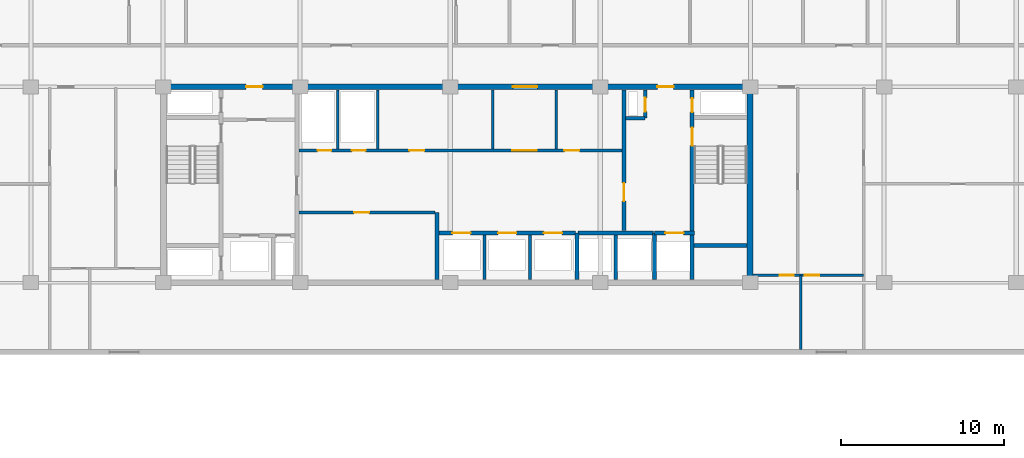
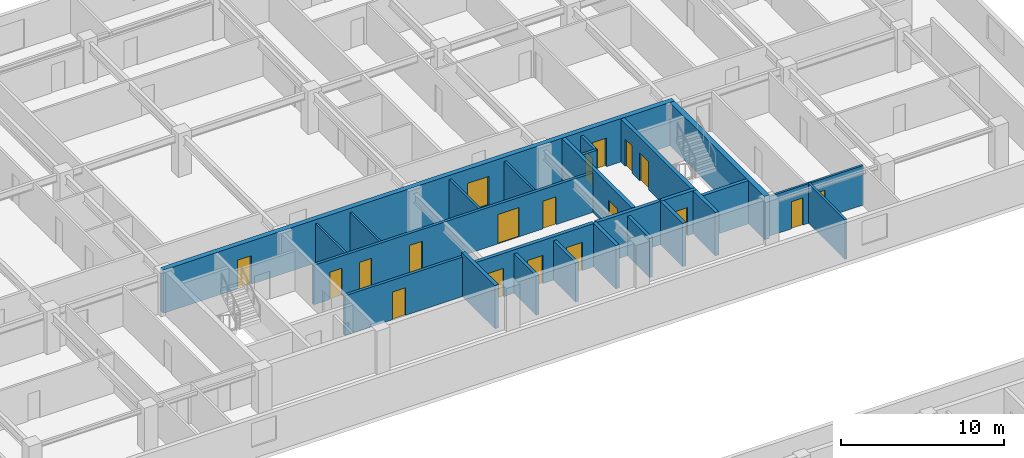
# One storey, part 11 of 21: 24 walls, 19 doors, 19 openings.
"""IFC4 building model written with IfcOpenShell, lengths in metres."""

from ifc_helpers import new_model, si_unit, direction, frame, frame_2d, origin, place, context, subcontext, project, spatial, rectangle, extrude, material, layer, layer_set, type_object, element, fill, save


model = new_model("IFC4")

# Units and contexts
model_context = context("Model", 3, precision=1e-05, world=origin(), true_north=direction((0.0, 1.0)))
body_context = subcontext(model_context, "Body", "Model", "MODEL_VIEW")
ifc_project = project(units=[si_unit("LENGTHUNIT", "METRE"), si_unit("AREAUNIT", "SQUARE_METRE"), si_unit("VOLUMEUNIT", "CUBIC_METRE"), si_unit("PLANEANGLEUNIT", "RADIAN"), si_unit("MASSUNIT", "GRAM", prefix="KILO")], contexts=[model_context])

# Site, building, storey
site_placement = place(None, origin())
site = spatial("IfcSite", under=ifc_project, at=site_placement, CompositionType="ELEMENT")
building_placement = place(site_placement, origin())
building = spatial("IfcBuilding", under=site, at=building_placement, Name="Korimba Cascade Residences", CompositionType="ELEMENT")
storey_placement = place(building_placement, frame((0.0, 0.0, 116.550048828125)))
storey = spatial("IfcBuildingStorey", under=building, at=storey_placement, Name="L33", CompositionType="ELEMENT", Elevation=116.550048828125)

# Wall
ifc_material_1 = material(Name="Concrete C65/80", Category="concrete")
ifc_layer_1 = layer(ifc_material_1, 0.35009765625)
ifc_layer_set_1 = layer_set([ifc_layer_1], Name="Concrete C65/80")
wall_type_1 = type_object("IfcWallType", Name="WAL-CORE-350", PredefinedType="SHEAR", material=ifc_layer_set_1)
wall_1_placement = place(storey_placement, frame((112.074951171875, 55.375, 0.0), z_axis=(0.0, 0.0, 1.0), x_axis=(0.0, 1.0, 0.0)))
element("IfcWall", 1, at=wall_1_placement, inside=storey, type_object=wall_type_1, Name="L33 Core Shear Wall CW-L33-T1-E", PredefinedType="SHEAR", context=body_context, shape_type="SweptSolid", body=[
    extrude(rectangle(XDim=11.64990234375, YDim=0.35009765625, at=frame_2d((5.824951171875, 0.0))), origin(), (0.0, 0.0, 1.0), 3.25),
])

# Wall, openings, doors
wall_2_placement = place(storey_placement, frame((75.949951171875, 67.199951171875, 0.0), z_axis=(0.0, 0.0, 1.0), x_axis=(1.0, 0.0, 0.0)))
wall_2 = element("IfcWall", 2, at=wall_2_placement, inside=storey, type_object=wall_type_1, Name="L33 Core Shear Wall CW-L33-T1-N", PredefinedType="SHEAR", context=body_context, shape_type="SweptSolid", body=[
    extrude(rectangle(XDim=36.300048828125, YDim=0.35009765625, at=frame_2d((18.14990234375, 0.0))), origin(), (0.0, 0.0, 1.0), 3.25),
])
opening_1_placement = place(wall_2_placement, frame((5.25, 0.0, 0.0)))
opening_1 = element("IfcOpeningElement", 3, at=opening_1_placement, cuts=wall_2, Name="Opening D-FD5", PredefinedType="OPENING", context=body_context, shape_type="SweptSolid", body=[
    extrude(rectangle(XDim=1.0, YDim=2.14990234375, at=frame_2d((0.5, 1.074951171875))), frame((0.0, 0.18505859375, 0.0), z_axis=(0.0, -1.0, 0.0), x_axis=(1.0, 0.0, 0.0)), (0.0, 0.0, 1.0), 0.3701171875),
])
opening_2_placement = place(wall_2_placement, frame((21.60009765625, 0.0, 0.0)))
opening_2 = element("IfcOpeningElement", 4, at=opening_2_placement, cuts=wall_2, Name="Opening D-FD8", PredefinedType="OPENING", context=body_context, shape_type="SweptSolid", body=[
    extrude(rectangle(XDim=1.5, YDim=2.199951171875, at=frame_2d((0.75, 1.10009765625))), frame((0.0, 0.18505859375, 0.0), z_axis=(0.0, -1.0, 0.0), x_axis=(1.0, 0.0, 0.0)), (0.0, 0.0, 1.0), 0.3701171875),
])
opening_3_placement = place(wall_2_placement, frame((30.449951171875, 0.0, 0.0)))
opening_3 = element("IfcOpeningElement", 5, at=opening_3_placement, cuts=wall_2, Name="Opening D-FD5", PredefinedType="OPENING", context=body_context, shape_type="SweptSolid", body=[
    extrude(rectangle(XDim=1.0, YDim=2.14990234375, at=frame_2d((0.5, 1.074951171875))), frame((0.0, 0.18505859375, 0.0), z_axis=(0.0, -1.0, 0.0), x_axis=(1.0, 0.0, 0.0)), (0.0, 0.0, 1.0), 0.3701171875),
])
ifc_material_2 = material(Name="Fire-Rated Acoustic Timber Vestibule Door", Category="wood")
door_type_1 = type_object("IfcDoorType", Name="DR-FD90-1000", OperationType="NOTDEFINED", PredefinedType="DOOR", material=ifc_material_2)
door_1_placement = place(opening_1_placement, origin())
door_1 = element("IfcDoor", 6, at=door_1_placement, inside=storey, type_object=door_type_1, Name="L33 T1 West Core Vestibule Fire Door", OperationType="SINGLE_SWING_LEFT", OverallHeight=2.14990234375, OverallWidth=1.0, PredefinedType="DOOR", context=body_context, shape_type="SweptSolid", body=[
    extrude(rectangle(XDim=1.0, YDim=2.14990234375, at=frame_2d((0.5, 1.074951171875))), frame((0.0, 0.02490234375, 0.0), z_axis=(0.0, -1.0, 0.0), x_axis=(1.0, 0.0, 0.0)), (0.0, 0.0, 1.0), 0.050048828125),
])
fill(opening_1, door_1)
door_2_placement = place(opening_3_placement, origin())
door_2 = element("IfcDoor", 7, at=door_2_placement, inside=storey, type_object=door_type_1, Name="L33 T1 East Firefighting Vestibule Fire Door", OperationType="SINGLE_SWING_RIGHT", OverallHeight=2.14990234375, OverallWidth=1.0, PredefinedType="DOOR", context=body_context, shape_type="SweptSolid", body=[
    extrude(rectangle(XDim=1.0, YDim=2.14990234375, at=frame_2d((0.5, 1.074951171875))), frame((0.0, 0.02490234375, 0.0), z_axis=(0.0, -1.0, 0.0), x_axis=(1.0, 0.0, 0.0)), (0.0, 0.0, 1.0), 0.050048828125),
])
fill(opening_3, door_2)
ifc_material_3 = material(Name="Fire-Rated Glazed Lift Lobby Double Door", Category="glass")
door_type_2 = type_object("IfcDoorType", Name="DR-FD90-1500", OperationType="NOTDEFINED", PredefinedType="DOOR", material=ifc_material_3)
door_3_placement = place(opening_2_placement, origin())
door_3 = element("IfcDoor", 8, at=door_3_placement, inside=storey, type_object=door_type_2, Name="L33 T1 Lift Lobby Fire Door", OperationType="DOUBLE_DOOR_SINGLE_SWING", OverallHeight=2.199951171875, OverallWidth=1.5, PredefinedType="DOOR", context=body_context, shape_type="SweptSolid", body=[
    extrude(rectangle(XDim=1.5, YDim=2.199951171875, at=frame_2d((0.75, 1.10009765625))), frame((0.0, 0.02490234375, 0.0), z_axis=(0.0, -1.0, 0.0), x_axis=(1.0, 0.0, 0.0)), (0.0, 0.0, 1.0), 0.050048828125),
])
fill(opening_2, door_3)

# Walls
ifc_material_4 = material(Name="Insulated Acoustic Stud Partition", Category="gypsum")
ifc_layer_2 = layer(ifc_material_4, 0.14990234375)
ifc_layer_set_2 = layer_set([ifc_layer_2], Name="Insulated Acoustic Stud Partition")
wall_type_2 = type_object("IfcWallType", Name="WAL-PART-150", PredefinedType="PARTITIONING", material=ifc_layer_set_2)
for number, where, z_axis, x_axis, name in (
    (9, (86.800048828125, 63.39990234375, 0.0), (0.0, 0.0, 1.0), (0.0, 1.0, 0.0), "L33 Partition Wall CW-L33-T1-ERDIV"),
    (10, (89.25, 63.39990234375, 0.0), (0.0, 0.0, 1.0), (0.0, 1.0, 0.0), "L33 Partition Wall CW-L33-T1-PRDIV"),
    (11, (96.300048828125, 63.39990234375, 0.0), (0.0, 0.0, 1.0), (0.0, 1.0, 0.0), "L33 Partition Wall CW-L33-T1-THW"),
    (12, (100.199951171875, 63.39990234375, 0.0), (0.0, 0.0, 1.0), (0.0, 1.0, 0.0), "L33 Partition Wall CW-L33-T1-THE"),
):
    element("IfcWall", number, at=place(storey_placement, frame(where, z_axis=z_axis, x_axis=x_axis)), inside=storey, type_object=wall_type_2, Name=name, PredefinedType="PARTITIONING", context=body_context, shape_type="SweptSolid", body=[
        extrude(rectangle(XDim=3.60009765625, YDim=0.14990234375, at=frame_2d((1.800048828125, 0.0))), origin(), (0.0, 0.0, 1.0), 2.969970703125),
    ])
wall_3_placement = place(storey_placement, frame((115.199951171875, 51.10009765625, 0.0), z_axis=(0.0, 0.0, 1.0), x_axis=(0.0, 1.0, 0.0)))
element("IfcWall", 13, at=wall_3_placement, inside=storey, type_object=wall_type_2, Name="L33 Partition Wall WAL-L33-T1-FE-VS", PredefinedType="PARTITIONING", context=body_context, shape_type="SweptSolid", body=[
    extrude(rectangle(XDim=4.5498046875, YDim=0.14990234375, at=frame_2d((2.27490234375, 0.0))), origin(), (0.0, 0.0, 1.0), 2.969970703125),
])

# Wall, openings, doors
wall_4_placement = place(storey_placement, frame((112.27001953125, 55.64990234375, 0.0), z_axis=(0.0, 0.0, 1.0), x_axis=(1.0, 0.0, 0.0)))
wall_4 = element("IfcWall", 14, at=wall_4_placement, inside=storey, type_object=wall_type_2, Name="L33 Partition Wall WAL-L33-T1-FE-H", PredefinedType="PARTITIONING", context=body_context, shape_type="SweptSolid", body=[
    extrude(rectangle(XDim=6.760009765625, YDim=0.14990234375, at=frame_2d((3.3798828125, 0.0))), origin(), (0.0, 0.0, 1.0), 2.969970703125),
])
opening_4_placement = place(wall_4_placement, frame((1.6396484375, 0.0, 0.0)))
opening_4 = element("IfcOpeningElement", 15, at=opening_4_placement, cuts=wall_4, Name="Opening D-BT1", PredefinedType="OPENING", context=body_context, shape_type="SweptSolid", body=[
    extrude(rectangle(XDim=0.840087890625, YDim=2.0400390625, at=frame_2d((0.419921875, 1.02001953125))), frame((0.0, 0.0849609375, 0.0), z_axis=(0.0, -1.0, 0.0), x_axis=(1.0, 0.0, 0.0)), (0.0, 0.0, 1.0), 0.169921875),
])
opening_5_placement = place(wall_4_placement, frame((3.160400390625, 0.0, 0.0)))
opening_5 = element("IfcOpeningElement", 16, at=opening_5_placement, cuts=wall_4, Name="Opening D-IN2", PredefinedType="OPENING", context=body_context, shape_type="SweptSolid", body=[
    extrude(rectangle(XDim=0.8798828125, YDim=2.06005859375, at=frame_2d((0.43994140625, 1.030029296875))), frame((0.0, 0.0849609375, 0.0), z_axis=(0.0, -1.0, 0.0), x_axis=(1.0, 0.0, 0.0)), (0.0, 0.0, 1.0), 0.169921875),
])
ifc_material_5 = material(Name="Moisture-Resistant Bathroom Timber Door", Category="wood")
door_type_3 = type_object("IfcDoorType", Name="DR-INT-850", OperationType="NOTDEFINED", PredefinedType="DOOR", material=ifc_material_5)
door_4_placement = place(opening_4_placement, origin())
door_4 = element("IfcDoor", 17, at=door_4_placement, inside=storey, type_object=door_type_3, Name="L33-T1-FE Bathroom Door", OperationType="SINGLE_SWING_LEFT", OverallHeight=2.0400390625, OverallWidth=0.840087890625, PredefinedType="DOOR", context=body_context, shape_type="SweptSolid", body=[
    extrude(rectangle(XDim=0.840087890625, YDim=2.0400390625, at=frame_2d((0.419921875, 1.02001953125))), frame((0.0, 0.02490234375, 0.0), z_axis=(0.0, -1.0, 0.0), x_axis=(1.0, 0.0, 0.0)), (0.0, 0.0, 1.0), 0.050048828125),
])
fill(opening_4, door_4)
ifc_material_6 = material(Name="Acoustic Timber Bedroom Door", Category="wood")
door_type_4 = type_object("IfcDoorType", Name="DR-INT-880", OperationType="NOTDEFINED", PredefinedType="DOOR", material=ifc_material_6)
door_5_placement = place(opening_5_placement, origin())
door_5 = element("IfcDoor", 18, at=door_5_placement, inside=storey, type_object=door_type_4, Name="L33-T1-FE Bedroom Door", OperationType="SINGLE_SWING_RIGHT", OverallHeight=2.06005859375, OverallWidth=0.8798828125, PredefinedType="DOOR", context=body_context, shape_type="SweptSolid", body=[
    extrude(rectangle(XDim=0.8798828125, YDim=2.06005859375, at=frame_2d((0.43994140625, 1.030029296875))), frame((0.0, 0.02490234375, 0.0), z_axis=(0.0, -1.0, 0.0), x_axis=(1.0, 0.0, 0.0)), (0.0, 0.0, 1.0), 0.050048828125),
])
fill(opening_5, door_5)

# Wall, opening, door
ifc_material_7 = material(Name="Concrete C40/50", Category="concrete")
ifc_layer_3 = layer(ifc_material_7, 0.199951171875)
ifc_layer_set_3 = layer_set([ifc_layer_3], Name="Concrete C40/50")
wall_type_3 = type_object("IfcWallType", Name="WAL-PART-200", PredefinedType="PARTITIONING", material=ifc_layer_set_3)
wall_5_placement = place(storey_placement, frame((84.419921875, 59.5, 0.0), z_axis=(0.0, 0.0, 1.0), x_axis=(1.0, 0.0, 0.0)))
wall_5 = element("IfcWall", 19, at=wall_5_placement, inside=storey, type_object=wall_type_3, Name="L33 Partition Wall CW-L33-T1-B1RN", PredefinedType="PARTITIONING", context=body_context, shape_type="SweptSolid", body=[
    extrude(rectangle(XDim=8.360107421875, YDim=0.199951171875, at=frame_2d((4.18017578125, 0.0))), origin(), (0.0, 0.0, 1.0), 2.969970703125),
])
opening_6_placement = place(wall_5_placement, frame((3.39990234375, 0.0, 0.0)))
opening_6 = element("IfcOpeningElement", 20, at=opening_6_placement, cuts=wall_5, Name="Opening D-ST1", PredefinedType="OPENING", context=body_context, shape_type="SweptSolid", body=[
    extrude(rectangle(XDim=0.919921875, YDim=2.080078125, at=frame_2d((0.4599609375, 1.0400390625))), frame((0.0, 0.10986328125, 0.0), z_axis=(0.0, -1.0, 0.0), x_axis=(1.0, 0.0, 0.0)), (0.0, 0.0, 1.0), 0.219970703125),
])
ifc_material_8 = material(Name="Fire-Rated Core Store Door", Category="wood")
door_type_5 = type_object("IfcDoorType", Name="DR-FD60-920", OperationType="NOTDEFINED", PredefinedType="DOOR", material=ifc_material_8)
door_6_placement = place(opening_6_placement, origin())
door_6 = element("IfcDoor", 21, at=door_6_placement, inside=storey, type_object=door_type_5, Name="L33 Resident Storage Door", OperationType="SINGLE_SWING_LEFT", OverallHeight=2.080078125, OverallWidth=0.919921875, PredefinedType="DOOR", context=body_context, shape_type="SweptSolid", body=[
    extrude(rectangle(XDim=0.919921875, YDim=2.080078125, at=frame_2d((0.4599609375, 1.0400390625))), frame((0.0, 0.02490234375, 0.0), z_axis=(0.0, -1.0, 0.0), x_axis=(1.0, 0.0, 0.0)), (0.0, 0.0, 1.0), 0.050048828125),
])
fill(opening_6, door_6)

# Walls
for number, where, z_axis, x_axis, name in (
    (22, (95.800048828125, 55.39990234375, 0.0), (0.0, 0.0, 1.0), (0.0, 1.0, 0.0), "L33 Partition Wall CW-L33-T1-B2D1"),
    (23, (98.60009765625, 55.39990234375, 0.0), (0.0, 0.0, 1.0), (0.0, 1.0, 0.0), "L33 Partition Wall CW-L33-T1-B2D2"),
    (24, (103.85009765625, 55.39990234375, 0.0), (0.0, 0.0, 1.0), (0.0, 1.0, 0.0), "L33 Partition Wall CW-L33-T1-B3D1"),
):
    element("IfcWall", number, at=place(storey_placement, frame(where, z_axis=z_axis, x_axis=x_axis)), inside=storey, type_object=wall_type_3, Name=name, PredefinedType="PARTITIONING", context=body_context, shape_type="SweptSolid", body=[
        extrude(rectangle(XDim=2.72021484375, YDim=0.199951171875, at=frame_2d((1.360107421875, 0.0))), origin(), (0.0, 0.0, 1.0), 2.969970703125),
    ])

# Wall, openings, doors
wall_6_placement = place(storey_placement, frame((84.419921875, 63.300048828125, 0.0), z_axis=(0.0, 0.0, 1.0), x_axis=(1.0, 0.0, 0.0)))
wall_6 = element("IfcWall", 25, at=wall_6_placement, inside=storey, type_object=wall_type_3, Name="L33 Partition Wall CW-L33-T1-SRVROW", PredefinedType="PARTITIONING", context=body_context, shape_type="SweptSolid", body=[
    extrude(rectangle(XDim=19.830078125, YDim=0.199951171875, at=frame_2d((9.9150390625, 0.0))), origin(), (0.0, 0.0, 1.0), 2.969970703125),
])
opening_7_placement = place(wall_6_placement, frame((1.14990234375, 0.0, 0.0)))
opening_7 = element("IfcOpeningElement", 26, at=opening_7_placement, cuts=wall_6, Name="Opening D-RS1", PredefinedType="OPENING", context=body_context, shape_type="SweptSolid", body=[
    extrude(rectangle(XDim=0.85009765625, YDim=2.050048828125, at=frame_2d((0.425048828125, 1.02490234375))), frame((0.0, 0.10986328125, 0.0), z_axis=(0.0, -1.0, 0.0), x_axis=(1.0, 0.0, 0.0)), (0.0, 0.0, 1.0), 0.219970703125),
])
opening_8_placement = place(wall_6_placement, frame((3.25, 0.0, 0.0)))
opening_8 = element("IfcOpeningElement", 27, at=opening_8_placement, cuts=wall_6, Name="Opening D-RS1", PredefinedType="OPENING", context=body_context, shape_type="SweptSolid", body=[
    extrude(rectangle(XDim=0.85009765625, YDim=2.050048828125, at=frame_2d((0.425048828125, 1.02490234375))), frame((0.0, 0.10986328125, 0.0), z_axis=(0.0, -1.0, 0.0), x_axis=(1.0, 0.0, 0.0)), (0.0, 0.0, 1.0), 0.219970703125),
])
opening_9_placement = place(wall_6_placement, frame((13.080078125, 0.0, 0.0)))
opening_9 = element("IfcOpeningElement", 28, at=opening_9_placement, cuts=wall_6, Name="Opening D-FD8", PredefinedType="OPENING", context=body_context, shape_type="SweptSolid", body=[
    extrude(rectangle(XDim=1.5, YDim=2.199951171875, at=frame_2d((0.75, 1.10009765625))), frame((0.0, 0.10986328125, 0.0), z_axis=(0.0, -1.0, 0.0), x_axis=(1.0, 0.0, 0.0)), (0.0, 0.0, 1.0), 0.219970703125),
])
opening_10_placement = place(wall_6_placement, frame((6.780029296875, 0.0, 0.0)))
opening_10 = element("IfcOpeningElement", 29, at=opening_10_placement, cuts=wall_6, Name="Opening D-IN1", PredefinedType="OPENING", context=body_context, shape_type="SweptSolid", body=[
    extrude(rectangle(XDim=0.919921875, YDim=2.080078125, at=frame_2d((0.4599609375, 1.0400390625))), frame((0.0, 0.10986328125, 0.0), z_axis=(0.0, -1.0, 0.0), x_axis=(1.0, 0.0, 0.0)), (0.0, 0.0, 1.0), 0.219970703125),
])
opening_11_placement = place(wall_6_placement, frame((16.280029296875, 0.0, 0.0)))
opening_11 = element("IfcOpeningElement", 30, at=opening_11_placement, cuts=wall_6, Name="Opening D-IN1", PredefinedType="OPENING", context=body_context, shape_type="SweptSolid", body=[
    extrude(rectangle(XDim=0.919921875, YDim=2.080078125, at=frame_2d((0.4599609375, 1.0400390625))), frame((0.0, 0.10986328125, 0.0), z_axis=(0.0, -1.0, 0.0), x_axis=(1.0, 0.0, 0.0)), (0.0, 0.0, 1.0), 0.219970703125),
])
ifc_material_9 = material(Name="Fire-Rated Steel Riser Access Door", Category="steel")
door_type_6 = type_object("IfcDoorType", Name="DR-FD60-850", OperationType="NOTDEFINED", PredefinedType="DOOR", material=ifc_material_9)
door_7_placement = place(opening_7_placement, origin())
door_7 = element("IfcDoor", 31, at=door_7_placement, inside=storey, type_object=door_type_6, Name="L33 Electrical Riser Door", OperationType="SINGLE_SWING_RIGHT", OverallHeight=2.050048828125, OverallWidth=0.85009765625, PredefinedType="DOOR", context=body_context, shape_type="SweptSolid", body=[
    extrude(rectangle(XDim=0.85009765625, YDim=2.050048828125, at=frame_2d((0.425048828125, 1.02490234375))), frame((0.0, 0.02490234375, 0.0), z_axis=(0.0, -1.0, 0.0), x_axis=(1.0, 0.0, 0.0)), (0.0, 0.0, 1.0), 0.050048828125),
])
fill(opening_7, door_7)
door_8_placement = place(opening_8_placement, origin())
door_8 = element("IfcDoor", 32, at=door_8_placement, inside=storey, type_object=door_type_6, Name="L33 Plumbing Riser Door", OperationType="SINGLE_SWING_LEFT", OverallHeight=2.050048828125, OverallWidth=0.85009765625, PredefinedType="DOOR", context=body_context, shape_type="SweptSolid", body=[
    extrude(rectangle(XDim=0.85009765625, YDim=2.050048828125, at=frame_2d((0.425048828125, 1.02490234375))), frame((0.0, 0.02490234375, 0.0), z_axis=(0.0, -1.0, 0.0), x_axis=(1.0, 0.0, 0.0)), (0.0, 0.0, 1.0), 0.050048828125),
])
fill(opening_8, door_8)
door_9_placement = place(opening_9_placement, origin())
door_9 = element("IfcDoor", 33, at=door_9_placement, inside=storey, type_object=door_type_2, Name="L33 Lift Lobby Foyer Archway Door", OperationType="DOUBLE_DOOR_SINGLE_SWING", OverallHeight=2.199951171875, OverallWidth=1.5, PredefinedType="DOOR", context=body_context, shape_type="SweptSolid", body=[
    extrude(rectangle(XDim=1.5, YDim=2.199951171875, at=frame_2d((0.75, 1.10009765625))), frame((0.0, 0.02490234375, 0.0), z_axis=(0.0, -1.0, 0.0), x_axis=(1.0, 0.0, 0.0)), (0.0, 0.0, 1.0), 0.050048828125),
])
fill(opening_9, door_9)
ifc_material_10 = material(Name="Acoustic Timber Living Door", Category="wood")
door_type_7 = type_object("IfcDoorType", Name="DR-INT-920", OperationType="NOTDEFINED", PredefinedType="DOOR", material=ifc_material_10)
door_10_placement = place(opening_10_placement, origin())
door_10 = element("IfcDoor", 34, at=door_10_placement, inside=storey, type_object=door_type_7, Name="L33 Housekeeping Door", OperationType="SINGLE_SWING_RIGHT", OverallHeight=2.080078125, OverallWidth=0.919921875, PredefinedType="DOOR", context=body_context, shape_type="SweptSolid", body=[
    extrude(rectangle(XDim=0.919921875, YDim=2.080078125, at=frame_2d((0.4599609375, 1.0400390625))), frame((0.0, 0.02490234375, 0.0), z_axis=(0.0, -1.0, 0.0), x_axis=(1.0, 0.0, 0.0)), (0.0, 0.0, 1.0), 0.050048828125),
])
fill(opening_10, door_10)
door_11_placement = place(opening_11_placement, origin())
door_11 = element("IfcDoor", 35, at=door_11_placement, inside=storey, type_object=door_type_7, Name="L33 Store Door", OperationType="SINGLE_SWING_LEFT", OverallHeight=2.080078125, OverallWidth=0.919921875, PredefinedType="DOOR", context=body_context, shape_type="SweptSolid", body=[
    extrude(rectangle(XDim=0.919921875, YDim=2.080078125, at=frame_2d((0.4599609375, 1.0400390625))), frame((0.0, 0.02490234375, 0.0), z_axis=(0.0, -1.0, 0.0), x_axis=(1.0, 0.0, 0.0)), (0.0, 0.0, 1.0), 0.050048828125),
])
fill(opening_11, door_11)

# Wall
wall_7_placement = place(storey_placement, frame((104.449951171875, 65.280029296875, 0.0), z_axis=(0.0, 0.0, 1.0), x_axis=(1.0, 0.0, 0.0)))
element("IfcWall", 36, at=wall_7_placement, inside=storey, type_object=wall_type_3, Name="L33 Partition Wall CW-L33-T1-HYDW2S", PredefinedType="PARTITIONING", context=body_context, shape_type="SweptSolid", body=[
    extrude(rectangle(XDim=1.199951171875, YDim=0.199951171875, at=frame_2d((0.60009765625, 0.0))), origin(), (0.0, 0.0, 1.0), 2.969970703125),
])

# Wall, opening, door
wall_8_placement = place(storey_placement, frame((105.64990234375, 65.280029296875, 0.0), z_axis=(0.0, 0.0, 1.0), x_axis=(0.0, 1.0, 0.0)))
wall_8 = element("IfcWall", 37, at=wall_8_placement, inside=storey, type_object=wall_type_3, Name="L33 Partition Wall CW-L33-T1-HYDW2E", PredefinedType="PARTITIONING", context=body_context, shape_type="SweptSolid", body=[
    extrude(rectangle(XDim=1.719970703125, YDim=0.199951171875, at=frame_2d((0.85986328125, 0.0))), origin(), (0.0, 0.0, 1.0), 2.969970703125),
])
opening_12_placement = place(wall_8_placement, frame((0.39990234375, 0.0, 0.0)))
opening_12 = element("IfcOpeningElement", 38, at=opening_12_placement, cuts=wall_8, Name="Opening D-RS1", PredefinedType="OPENING", context=body_context, shape_type="SweptSolid", body=[
    extrude(rectangle(XDim=0.85009765625, YDim=2.050048828125, at=frame_2d((0.425048828125, 1.02490234375))), frame((0.0, 0.10986328125, 0.0), z_axis=(0.0, -1.0, 0.0), x_axis=(1.0, 0.0, 0.0)), (0.0, 0.0, 1.0), 0.219970703125),
])
door_12_placement = place(opening_12_placement, origin())
door_12 = element("IfcDoor", 39, at=door_12_placement, inside=storey, type_object=door_type_6, Name="L33 East Hydrant Door", OperationType="SINGLE_SWING_RIGHT", OverallHeight=2.050048828125, OverallWidth=0.85009765625, PredefinedType="DOOR", context=body_context, shape_type="SweptSolid", body=[
    extrude(rectangle(XDim=0.85009765625, YDim=2.050048828125, at=frame_2d((0.425048828125, 1.02490234375))), frame((0.0, 0.02490234375, 0.0), z_axis=(0.0, -1.0, 0.0), x_axis=(1.0, 0.0, 0.0)), (0.0, 0.0, 1.0), 0.050048828125),
])
fill(opening_12, door_12)

# Wall
ifc_material_11 = material(Name="Concrete C50/60", Category="concrete")
ifc_layer_4 = layer(ifc_material_11, 0.25)
ifc_layer_set_4 = layer_set([ifc_layer_4], Name="Concrete C50/60")
wall_type_4 = type_object("IfcWallType", Name="WAL-SHAFT-250", PredefinedType="SHEAR", material=ifc_layer_set_4)
wall_9_placement = place(storey_placement, frame((92.89990234375, 55.39990234375, 0.0), z_axis=(0.0, 0.0, 1.0), x_axis=(0.0, 1.0, 0.0)))
element("IfcWall", 40, at=wall_9_placement, inside=storey, type_object=wall_type_4, Name="L33 Core Shear Wall CW-L33-T1-B12DIV", PredefinedType="SHEAR", context=body_context, shape_type="SweptSolid", body=[
    extrude(rectangle(XDim=4.10009765625, YDim=0.25, at=frame_2d((2.050048828125, 0.0))), origin(), (0.0, 0.0, 1.0), 3.25),
])

# Wall, openings, doors
wall_10_placement = place(storey_placement, frame((93.02001953125, 58.25, 0.0), z_axis=(0.0, 0.0, 1.0), x_axis=(1.0, 0.0, 0.0)))
wall_10 = element("IfcWall", 41, at=wall_10_placement, inside=storey, type_object=wall_type_4, Name="L33 Core Shear Wall CW-L33-T1-B2N", PredefinedType="SHEAR", context=body_context, shape_type="SweptSolid", body=[
    extrude(rectangle(XDim=8.35986328125, YDim=0.25, at=frame_2d((4.179931640625, 0.0))), origin(), (0.0, 0.0, 1.0), 3.25),
])
opening_13_placement = place(wall_10_placement, frame((0.820068359375, 0.0, 0.0)))
opening_13 = element("IfcOpeningElement", 42, at=opening_13_placement, cuts=wall_10, Name="Opening LD-01", PredefinedType="OPENING", context=body_context, shape_type="SweptSolid", body=[
    extrude(rectangle(XDim=1.1201171875, YDim=2.1201171875, at=frame_2d((0.56005859375, 1.06005859375))), frame((0.0, 0.135009765625, 0.0), z_axis=(0.0, -1.0, 0.0), x_axis=(1.0, 0.0, 0.0)), (0.0, 0.0, 1.0), 0.27001953125),
])
opening_14_placement = place(wall_10_placement, frame((3.6201171875, 0.0, 0.0)))
opening_14 = element("IfcOpeningElement", 43, at=opening_14_placement, cuts=wall_10, Name="Opening LD-01", PredefinedType="OPENING", context=body_context, shape_type="SweptSolid", body=[
    extrude(rectangle(XDim=1.1201171875, YDim=2.1201171875, at=frame_2d((0.56005859375, 1.06005859375))), frame((0.0, 0.135009765625, 0.0), z_axis=(0.0, -1.0, 0.0), x_axis=(1.0, 0.0, 0.0)), (0.0, 0.0, 1.0), 0.27001953125),
])
opening_15_placement = place(wall_10_placement, frame((6.419921875, 0.0, 0.0)))
opening_15 = element("IfcOpeningElement", 44, at=opening_15_placement, cuts=wall_10, Name="Opening LD-01", PredefinedType="OPENING", context=body_context, shape_type="SweptSolid", body=[
    extrude(rectangle(XDim=1.1201171875, YDim=2.1201171875, at=frame_2d((0.56005859375, 1.06005859375))), frame((0.0, 0.135009765625, 0.0), z_axis=(0.0, -1.0, 0.0), x_axis=(1.0, 0.0, 0.0)), (0.0, 0.0, 1.0), 0.27001953125),
])
ifc_material_12 = material(Name="Stainless Steel Lift Landing Sliding Door", Category="steel")
door_type_8 = type_object("IfcDoorType", Name="DR-LIFT-1100", OperationType="NOTDEFINED", PredefinedType="DOOR", material=ifc_material_12)
door_13_placement = place(opening_13_placement, origin())
door_13 = element("IfcDoor", 45, at=door_13_placement, inside=storey, type_object=door_type_8, Name="L33 Lift Landing Door PL-W4", OperationType="SLIDING_TO_RIGHT", OverallHeight=2.1201171875, OverallWidth=1.1201171875, PredefinedType="DOOR", context=body_context, shape_type="SweptSolid", body=[
    extrude(rectangle(XDim=1.1201171875, YDim=2.1201171875, at=frame_2d((0.56005859375, 1.06005859375))), frame((0.0, 0.02490234375, 0.0), z_axis=(0.0, -1.0, 0.0), x_axis=(1.0, 0.0, 0.0)), (0.0, 0.0, 1.0), 0.050048828125),
])
fill(opening_13, door_13)
door_14_placement = place(opening_14_placement, origin())
door_14 = element("IfcDoor", 46, at=door_14_placement, inside=storey, type_object=door_type_8, Name="L33 Lift Landing Door PL-W5", OperationType="SLIDING_TO_RIGHT", OverallHeight=2.1201171875, OverallWidth=1.1201171875, PredefinedType="DOOR", context=body_context, shape_type="SweptSolid", body=[
    extrude(rectangle(XDim=1.1201171875, YDim=2.1201171875, at=frame_2d((0.56005859375, 1.06005859375))), frame((0.0, 0.02490234375, 0.0), z_axis=(0.0, -1.0, 0.0), x_axis=(1.0, 0.0, 0.0)), (0.0, 0.0, 1.0), 0.050048828125),
])
fill(opening_14, door_14)
door_15_placement = place(opening_15_placement, origin())
door_15 = element("IfcDoor", 47, at=door_15_placement, inside=storey, type_object=door_type_8, Name="L33 Lift Landing Door PL-W6", OperationType="SLIDING_TO_RIGHT", OverallHeight=2.1201171875, OverallWidth=1.1201171875, PredefinedType="DOOR", context=body_context, shape_type="SweptSolid", body=[
    extrude(rectangle(XDim=1.1201171875, YDim=2.1201171875, at=frame_2d((0.56005859375, 1.06005859375))), frame((0.0, 0.02490234375, 0.0), z_axis=(0.0, -1.0, 0.0), x_axis=(1.0, 0.0, 0.0)), (0.0, 0.0, 1.0), 0.050048828125),
])
fill(opening_15, door_15)

# Walls
wall_11_placement = place(storey_placement, frame((101.47998046875, 55.39990234375, 0.0), z_axis=(0.0, 0.0, 1.0), x_axis=(0.0, 1.0, 0.0)))
element("IfcWall", 48, at=wall_11_placement, inside=storey, type_object=wall_type_4, Name="L33 Core Shear Wall CW-L33-T1-B23DIV", PredefinedType="SHEAR", context=body_context, shape_type="SweptSolid", body=[
    extrude(rectangle(XDim=2.85009765625, YDim=0.25, at=frame_2d((1.425048828125, 0.0))), origin(), (0.0, 0.0, 1.0), 3.25),
])
wall_12_placement = place(storey_placement, frame((101.550048828125, 58.25, 0.0), z_axis=(0.0, 0.0, 1.0), x_axis=(1.0, 0.0, 0.0)))
element("IfcWall", 49, at=wall_12_placement, inside=storey, type_object=wall_type_4, Name="L33 Core Shear Wall CW-L33-T1-B3N", PredefinedType="SHEAR", context=body_context, shape_type="SweptSolid", body=[
    extrude(rectangle(XDim=4.599853515625, YDim=0.25, at=frame_2d((2.2998046875, 0.0))), origin(), (0.0, 0.0, 1.0), 3.25),
])
wall_13_placement = place(storey_placement, frame((106.219970703125, 55.39990234375, 0.0), z_axis=(0.0, 0.0, 1.0), x_axis=(0.0, 1.0, 0.0)))
element("IfcWall", 50, at=wall_13_placement, inside=storey, type_object=wall_type_4, Name="L33 Core Shear Wall CW-L33-T1-FF2W", PredefinedType="SHEAR", context=body_context, shape_type="SweptSolid", body=[
    extrude(rectangle(XDim=2.85009765625, YDim=0.25, at=frame_2d((1.425048828125, 0.0))), origin(), (0.0, 0.0, 1.0), 3.25),
])

# Wall, opening, door
wall_14_placement = place(storey_placement, frame((106.219970703125, 58.25, 0.0), z_axis=(0.0, 0.0, 1.0), x_axis=(1.0, 0.0, 0.0)))
wall_14 = element("IfcWall", 51, at=wall_14_placement, inside=storey, type_object=wall_type_4, Name="L33 Core Shear Wall CW-L33-T1-FF2N", PredefinedType="SHEAR", context=body_context, shape_type="SweptSolid", body=[
    extrude(rectangle(XDim=2.4599609375, YDim=0.25, at=frame_2d((1.22998046875, 0.0))), origin(), (0.0, 0.0, 1.0), 3.25),
])
opening_16_placement = place(wall_14_placement, frame((0.669921875, 0.0, 0.0)))
opening_16 = element("IfcOpeningElement", 52, at=opening_16_placement, cuts=wall_14, Name="Opening LD-01", PredefinedType="OPENING", context=body_context, shape_type="SweptSolid", body=[
    extrude(rectangle(XDim=1.1201171875, YDim=2.1201171875, at=frame_2d((0.56005859375, 1.06005859375))), frame((0.0, 0.135009765625, 0.0), z_axis=(0.0, -1.0, 0.0), x_axis=(1.0, 0.0, 0.0)), (0.0, 0.0, 1.0), 0.27001953125),
])
door_16_placement = place(opening_16_placement, origin())
door_16 = element("IfcDoor", 53, at=door_16_placement, inside=storey, type_object=door_type_8, Name="L33 Firefighting Lift Landing Door FFL-W2", OperationType="SLIDING_TO_RIGHT", OverallHeight=2.1201171875, OverallWidth=1.1201171875, PredefinedType="DOOR", context=body_context, shape_type="SweptSolid", body=[
    extrude(rectangle(XDim=1.1201171875, YDim=2.1201171875, at=frame_2d((0.56005859375, 1.06005859375))), frame((0.0, 0.02490234375, 0.0), z_axis=(0.0, -1.0, 0.0), x_axis=(1.0, 0.0, 0.0)), (0.0, 0.0, 1.0), 0.050048828125),
])
fill(opening_16, door_16)

wall_15_placement = place(storey_placement, frame((104.35009765625, 58.39990234375, 0.0), z_axis=(0.0, 0.0, 1.0), x_axis=(0.0, 1.0, 0.0)))
wall_15 = element("IfcWall", 54, at=wall_15_placement, inside=storey, type_object=wall_type_4, Name="L33 Core Shear Wall CW-L33-T1-LLEV", PredefinedType="SHEAR", context=body_context, shape_type="SweptSolid", body=[
    extrude(rectangle(XDim=8.60009765625, YDim=0.25, at=frame_2d((4.300048828125, 0.0))), origin(), (0.0, 0.0, 1.0), 3.25),
])
opening_17_placement = place(wall_15_placement, frame((1.800048828125, 0.0, 0.0)))
opening_17 = element("IfcOpeningElement", 55, at=opening_17_placement, cuts=wall_15, Name="Opening D-FD1", PredefinedType="OPENING", context=body_context, shape_type="SweptSolid", body=[
    extrude(rectangle(XDim=1.10009765625, YDim=2.10009765625, at=frame_2d((0.550048828125, 1.050048828125))), frame((0.0, 0.135009765625, 0.0), z_axis=(0.0, -1.0, 0.0), x_axis=(1.0, 0.0, 0.0)), (0.0, 0.0, 1.0), 0.27001953125),
])
ifc_material_13 = material(Name="Fire-Rated Steel Core Door", Category="steel")
door_type_9 = type_object("IfcDoorType", Name="DR-FD120-1100", OperationType="NOTDEFINED", PredefinedType="DOOR", material=ifc_material_13)
door_17_placement = place(opening_17_placement, origin())
door_17 = element("IfcDoor", 56, at=door_17_placement, inside=storey, type_object=door_type_9, Name="L33 Lift Lobby to East Firefighting Lobby Door", OperationType="SINGLE_SWING_LEFT", OverallHeight=2.10009765625, OverallWidth=1.10009765625, PredefinedType="DOOR", context=body_context, shape_type="SweptSolid", body=[
    extrude(rectangle(XDim=1.10009765625, YDim=2.10009765625, at=frame_2d((0.550048828125, 1.050048828125))), frame((0.0, 0.02490234375, 0.0), z_axis=(0.0, -1.0, 0.0), x_axis=(1.0, 0.0, 0.0)), (0.0, 0.0, 1.0), 0.050048828125),
])
fill(opening_17, door_17)

# Wall, openings, doors
wall_16_placement = place(storey_placement, frame((108.534912109375, 55.39990234375, 0.0), z_axis=(0.0, 0.0, 1.0), x_axis=(0.0, 1.0, 0.0)))
wall_16 = element("IfcWall", 57, at=wall_16_placement, inside=storey, type_object=wall_type_4, Name="L33 Core Shear Wall CW-L33-T1-STW2W", PredefinedType="SHEAR", context=body_context, shape_type="SweptSolid", body=[
    extrude(rectangle(XDim=11.60009765625, YDim=0.25, at=frame_2d((5.800048828125, 0.0))), origin(), (0.0, 0.0, 1.0), 3.25),
])
opening_18_placement = place(wall_16_placement, frame((8.199951171875, 0.0, 0.0)))
opening_18 = element("IfcOpeningElement", 58, at=opening_18_placement, cuts=wall_16, Name="Opening D-FD1", PredefinedType="OPENING", context=body_context, shape_type="SweptSolid", body=[
    extrude(rectangle(XDim=1.10009765625, YDim=2.10009765625, at=frame_2d((0.550048828125, 1.050048828125))), frame((0.0, 0.135009765625, 0.0), z_axis=(0.0, -1.0, 0.0), x_axis=(1.0, 0.0, 0.0)), (0.0, 0.0, 1.0), 0.27001953125),
])
opening_19_placement = place(wall_16_placement, frame((10.25, 0.0, 0.0)))
opening_19 = element("IfcOpeningElement", 59, at=opening_19_placement, cuts=wall_16, Name="Opening D-RS1", PredefinedType="OPENING", context=body_context, shape_type="SweptSolid", body=[
    extrude(rectangle(XDim=0.85009765625, YDim=2.050048828125, at=frame_2d((0.425048828125, 1.02490234375))), frame((0.0, 0.135009765625, 0.0), z_axis=(0.0, -1.0, 0.0), x_axis=(1.0, 0.0, 0.0)), (0.0, 0.0, 1.0), 0.27001953125),
])
door_18_placement = place(opening_18_placement, origin())
door_18 = element("IfcDoor", 60, at=door_18_placement, inside=storey, type_object=door_type_9, Name="L33 Fire Stair ST-W2 Door", OperationType="SINGLE_SWING_RIGHT", OverallHeight=2.10009765625, OverallWidth=1.10009765625, PredefinedType="DOOR", context=body_context, shape_type="SweptSolid", body=[
    extrude(rectangle(XDim=1.10009765625, YDim=2.10009765625, at=frame_2d((0.550048828125, 1.050048828125))), frame((0.0, 0.02490234375, 0.0), z_axis=(0.0, -1.0, 0.0), x_axis=(1.0, 0.0, 0.0)), (0.0, 0.0, 1.0), 0.050048828125),
])
fill(opening_18, door_18)
door_19_placement = place(opening_19_placement, origin())
door_19 = element("IfcDoor", 61, at=door_19_placement, inside=storey, type_object=door_type_6, Name="L33 East Riser Door", OperationType="SINGLE_SWING_LEFT", OverallHeight=2.050048828125, OverallWidth=0.85009765625, PredefinedType="DOOR", context=body_context, shape_type="SweptSolid", body=[
    extrude(rectangle(XDim=0.85009765625, YDim=2.050048828125, at=frame_2d((0.425048828125, 1.02490234375))), frame((0.0, 0.02490234375, 0.0), z_axis=(0.0, -1.0, 0.0), x_axis=(1.0, 0.0, 0.0)), (0.0, 0.0, 1.0), 0.050048828125),
])
fill(opening_19, door_19)

# Wall
wall_17_placement = place(storey_placement, frame((108.659912109375, 57.47509765625, 0.0), z_axis=(0.0, 0.0, 1.0), x_axis=(1.0, 0.0, 0.0)))
element("IfcWall", 62, at=wall_17_placement, inside=storey, type_object=wall_type_4, Name="L33 Core Shear Wall CW-L33-T1-STW2S", PredefinedType="SHEAR", context=body_context, shape_type="SweptSolid", body=[
    extrude(rectangle(XDim=3.239990234375, YDim=0.25, at=frame_2d((1.6201171875, 0.0))), origin(), (0.0, 0.0, 1.0), 3.25),
])

save(model, "model.ifc")
